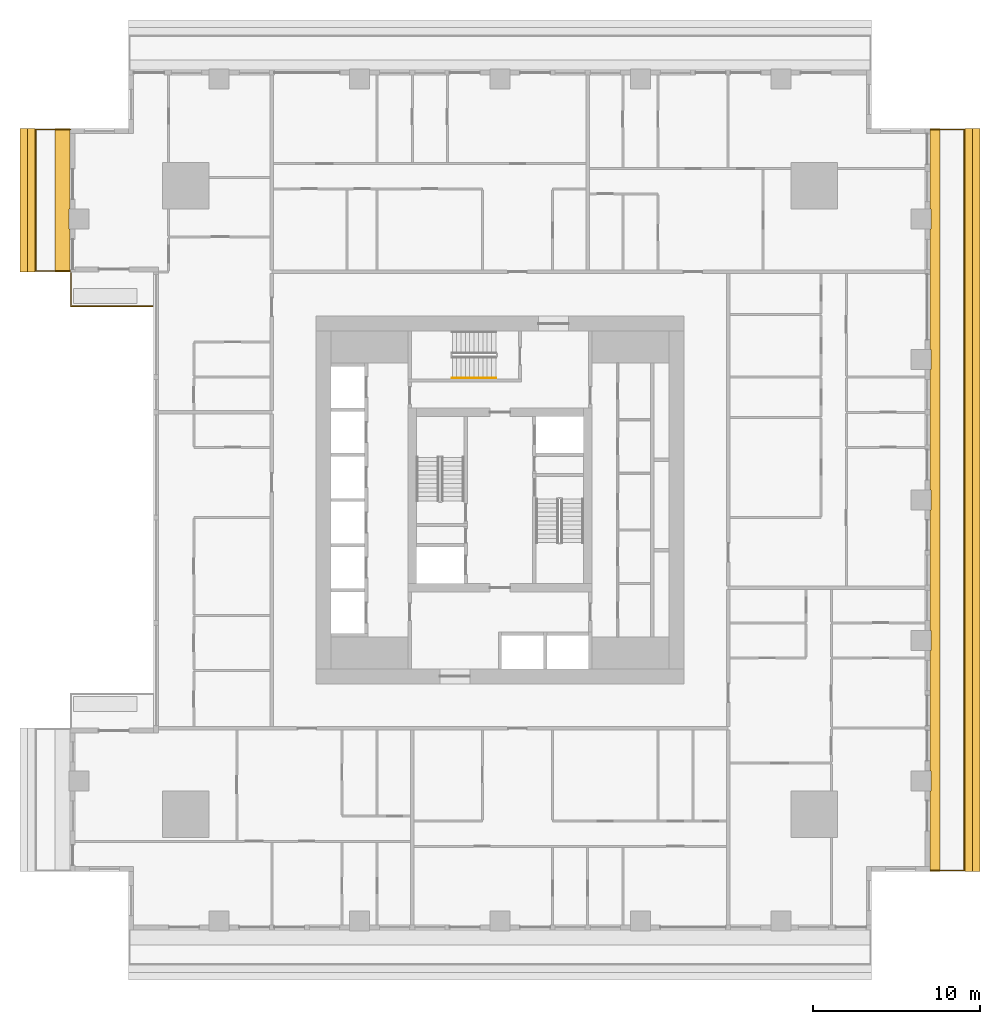
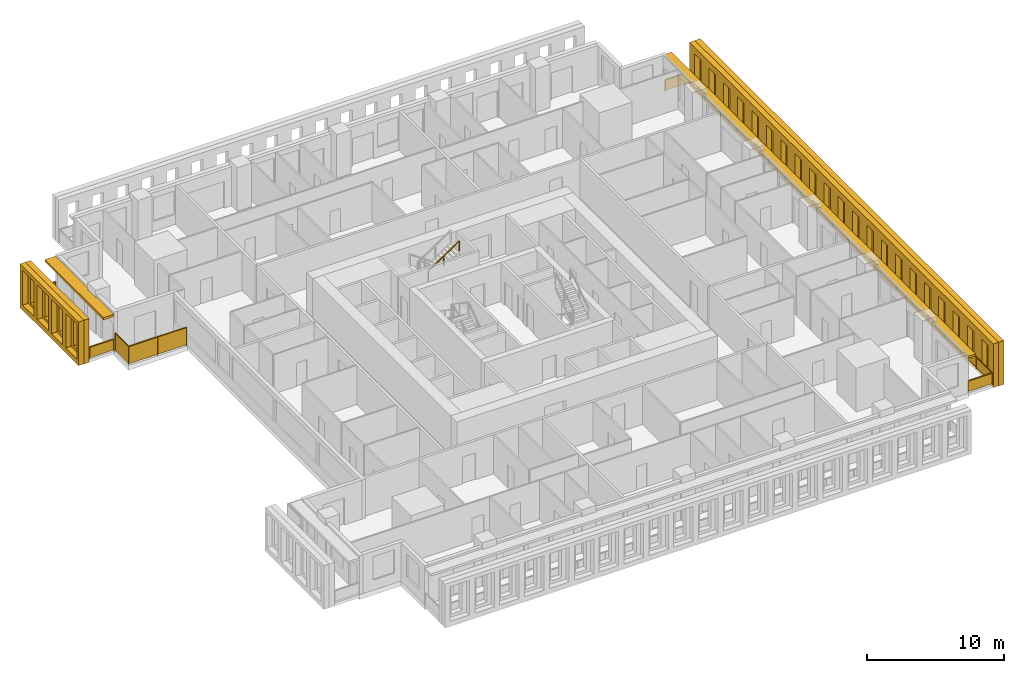
# One storey, part 13 of 15: 6 shading devices, 4 railings.
"""IFC4 building model written with IfcOpenShell, lengths in metres."""

from ifc_helpers import new_model, si_unit, direction, frame, origin, origin_2d, place, context, subcontext, project, spatial, polyline, rectangle, outline, extrude, material, layer, layer_set, type_object, element, save


model = new_model("IFC4")

# Units and contexts
model_context = context("Model", 3, precision=1e-05, world=origin(), true_north=direction((0.0, 1.0)))
body_context = subcontext(model_context, "Body", "Model", "MODEL_VIEW")
ifc_project = project(units=[si_unit("LENGTHUNIT", "METRE"), si_unit("AREAUNIT", "SQUARE_METRE"), si_unit("VOLUMEUNIT", "CUBIC_METRE"), si_unit("PLANEANGLEUNIT", "RADIAN"), si_unit("MASSUNIT", "GRAM", prefix="KILO")], contexts=[model_context])

# Site, building, storey
site_placement = place(None, origin())
site = spatial("IfcSite", under=ifc_project, at=site_placement, CompositionType="ELEMENT")
building_placement = place(site_placement, origin())
building = spatial("IfcBuilding", under=site, at=building_placement, Name="Khepri Terraces", CompositionType="ELEMENT")
storey_placement = place(building_placement, frame((0.0, 0.0, 118.199951171875)))
storey = spatial("IfcBuildingStorey", under=building, at=storey_placement, Name="L28", CompositionType="ELEMENT", Elevation=118.199951171875)

# Railings
ifc_material_1 = material(Name="Stainless steel grade 316", Category="steel")
railing_type_1 = type_object("IfcRailingType", Name="GRD-BAL-1100", PredefinedType="GUARDRAIL", material=ifc_material_1)
railing_1_placement = place(storey_placement, frame((25.719970703125, -22.169921875, 0.0)))
element("IfcRailing", 1, at=railing_1_placement, inside=storey, type_object=railing_type_1, Name="Balcony guard L28 E", PredefinedType="GUARDRAIL", context=body_context, shape_type="SweptSolid", body=[
    extrude(rectangle(XDim=0.050048828125, YDim=0.06005859375, at=origin_2d()), frame((0.0, 0.0, 1.070068359375), z_axis=(1.0, 0.0, 0.0), x_axis=(0.0, 1.0, 0.0)), (0.0, 0.0, 1.0), 2.050048828125),
    extrude(rectangle(XDim=2.0, YDim=0.011962890625, at=origin_2d()), frame((1.02490234375, 0.0, 0.10009765625), z_axis=(0.0, 0.0, 1.0), x_axis=(1.0, 0.0, 0.0)), (0.0, 0.0, 1.0), 0.93994140625),
    extrude(rectangle(XDim=0.050048828125, YDim=0.06005859375, at=origin_2d()), frame((2.050048828125, 0.0, 1.070068359375), z_axis=(0.0, 1.0, 0.0), x_axis=(-1.0, 0.0, 0.0)), (0.0, 0.0, 1.0), 44.33984375),
    extrude(rectangle(XDim=2.28369140625, YDim=0.011962890625, at=origin_2d()), frame((2.050048828125, 1.166748046875, 0.10009765625), z_axis=(0.0, 0.0, 1.0), x_axis=(0.0, 1.0, 0.0)), (0.0, 0.0, 1.0), 0.93994140625),
    extrude(rectangle(XDim=2.28369140625, YDim=0.011962890625, at=origin_2d()), frame((2.050048828125, 3.50048828125, 0.10009765625), z_axis=(0.0, 0.0, 1.0), x_axis=(0.0, 1.0, 0.0)), (0.0, 0.0, 1.0), 0.93994140625),
    extrude(rectangle(XDim=2.28369140625, YDim=0.011962890625, at=origin_2d()), frame((2.050048828125, 5.834228515625, 0.10009765625), z_axis=(0.0, 0.0, 1.0), x_axis=(0.0, 1.0, 0.0)), (0.0, 0.0, 1.0), 0.93994140625),
    extrude(rectangle(XDim=2.28369140625, YDim=0.011962890625, at=origin_2d()), frame((2.050048828125, 8.16796875, 0.10009765625), z_axis=(0.0, 0.0, 1.0), x_axis=(0.0, 1.0, 0.0)), (0.0, 0.0, 1.0), 0.93994140625),
    extrude(rectangle(XDim=2.28369140625, YDim=0.011962890625, at=origin_2d()), frame((2.050048828125, 10.50146484375, 0.10009765625), z_axis=(0.0, 0.0, 1.0), x_axis=(0.0, 1.0, 0.0)), (0.0, 0.0, 1.0), 0.93994140625),
    extrude(rectangle(XDim=2.28369140625, YDim=0.011962890625, at=origin_2d()), frame((2.050048828125, 12.835205078125, 0.10009765625), z_axis=(0.0, 0.0, 1.0), x_axis=(0.0, 1.0, 0.0)), (0.0, 0.0, 1.0), 0.93994140625),
    extrude(rectangle(XDim=2.28369140625, YDim=0.011962890625, at=origin_2d()), frame((2.050048828125, 15.1689453125, 0.10009765625), z_axis=(0.0, 0.0, 1.0), x_axis=(0.0, 1.0, 0.0)), (0.0, 0.0, 1.0), 0.93994140625),
    extrude(rectangle(XDim=2.28369140625, YDim=0.011962890625, at=origin_2d()), frame((2.050048828125, 17.502685546875, 0.10009765625), z_axis=(0.0, 0.0, 1.0), x_axis=(0.0, 1.0, 0.0)), (0.0, 0.0, 1.0), 0.93994140625),
    extrude(rectangle(XDim=2.28369140625, YDim=0.011962890625, at=origin_2d()), frame((2.050048828125, 19.836181640625, 0.10009765625), z_axis=(0.0, 0.0, 1.0), x_axis=(0.0, 1.0, 0.0)), (0.0, 0.0, 1.0), 0.93994140625),
    extrude(rectangle(XDim=2.28369140625, YDim=0.011962890625, at=origin_2d()), frame((2.050048828125, 22.169921875, 0.10009765625), z_axis=(0.0, 0.0, 1.0), x_axis=(0.0, 1.0, 0.0)), (0.0, 0.0, 1.0), 0.93994140625),
    extrude(rectangle(XDim=2.28369140625, YDim=0.011962890625, at=origin_2d()), frame((2.050048828125, 24.503662109375, 0.10009765625), z_axis=(0.0, 0.0, 1.0), x_axis=(0.0, 1.0, 0.0)), (0.0, 0.0, 1.0), 0.93994140625),
    extrude(rectangle(XDim=2.28369140625, YDim=0.011962890625, at=origin_2d()), frame((2.050048828125, 26.837158203125, 0.10009765625), z_axis=(0.0, 0.0, 1.0), x_axis=(0.0, 1.0, 0.0)), (0.0, 0.0, 1.0), 0.93994140625),
    extrude(rectangle(XDim=2.28369140625, YDim=0.011962890625, at=origin_2d()), frame((2.050048828125, 29.1708984375, 0.10009765625), z_axis=(0.0, 0.0, 1.0), x_axis=(0.0, 1.0, 0.0)), (0.0, 0.0, 1.0), 0.93994140625),
    extrude(rectangle(XDim=2.28369140625, YDim=0.011962890625, at=origin_2d()), frame((2.050048828125, 31.504638671875, 0.10009765625), z_axis=(0.0, 0.0, 1.0), x_axis=(0.0, 1.0, 0.0)), (0.0, 0.0, 1.0), 0.93994140625),
    extrude(rectangle(XDim=2.28369140625, YDim=0.011962890625, at=origin_2d()), frame((2.050048828125, 33.83837890625, 0.10009765625), z_axis=(0.0, 0.0, 1.0), x_axis=(0.0, 1.0, 0.0)), (0.0, 0.0, 1.0), 0.93994140625),
    extrude(rectangle(XDim=2.28369140625, YDim=0.011962890625, at=origin_2d()), frame((2.050048828125, 36.171875, 0.10009765625), z_axis=(0.0, 0.0, 1.0), x_axis=(0.0, 1.0, 0.0)), (0.0, 0.0, 1.0), 0.93994140625),
    extrude(rectangle(XDim=2.28369140625, YDim=0.011962890625, at=origin_2d()), frame((2.050048828125, 38.505615234375, 0.10009765625), z_axis=(0.0, 0.0, 1.0), x_axis=(0.0, 1.0, 0.0)), (0.0, 0.0, 1.0), 0.93994140625),
    extrude(rectangle(XDim=2.28369140625, YDim=0.011962890625, at=origin_2d()), frame((2.050048828125, 40.83935546875, 0.10009765625), z_axis=(0.0, 0.0, 1.0), x_axis=(0.0, 1.0, 0.0)), (0.0, 0.0, 1.0), 0.93994140625),
    extrude(rectangle(XDim=2.28369140625, YDim=0.011962890625, at=origin_2d()), frame((2.050048828125, 43.173095703125, 0.10009765625), z_axis=(0.0, 0.0, 1.0), x_axis=(0.0, 1.0, 0.0)), (0.0, 0.0, 1.0), 0.93994140625),
    extrude(rectangle(XDim=0.050048828125, YDim=0.06005859375, at=origin_2d()), frame((2.050048828125, 44.33984375, 1.070068359375), z_axis=(-1.0, 0.0, 0.0), x_axis=(0.0, -1.0, 0.0)), (0.0, 0.0, 1.0), 2.050048828125),
    extrude(rectangle(XDim=2.0, YDim=0.011962890625, at=origin_2d()), frame((1.02490234375, 44.33984375, 0.10009765625), z_axis=(0.0, 0.0, 1.0), x_axis=(-1.0, 0.0, 0.0)), (0.0, 0.0, 1.0), 0.93994140625),
    extrude(rectangle(XDim=0.050048828125, YDim=0.050048828125, at=origin_2d()), origin(), (0.0, 0.0, 1.0), 1.0400390625),
    extrude(rectangle(XDim=0.050048828125, YDim=0.050048828125, at=origin_2d()), frame((2.050048828125, 0.0, 0.0)), (0.0, 0.0, 1.0), 1.0400390625),
    extrude(rectangle(XDim=0.050048828125, YDim=0.050048828125, at=origin_2d()), frame((2.050048828125, 2.333740234375, 0.0)), (0.0, 0.0, 1.0), 1.0400390625),
    extrude(rectangle(XDim=0.050048828125, YDim=0.050048828125, at=origin_2d()), frame((2.050048828125, 4.667236328125, 0.0)), (0.0, 0.0, 1.0), 1.0400390625),
    extrude(rectangle(XDim=0.050048828125, YDim=0.050048828125, at=origin_2d()), frame((2.050048828125, 7.0009765625, 0.0)), (0.0, 0.0, 1.0), 1.0400390625),
    extrude(rectangle(XDim=0.050048828125, YDim=0.050048828125, at=origin_2d()), frame((2.050048828125, 9.334716796875, 0.0)), (0.0, 0.0, 1.0), 1.0400390625),
    extrude(rectangle(XDim=0.050048828125, YDim=0.050048828125, at=origin_2d()), frame((2.050048828125, 11.66845703125, 0.0)), (0.0, 0.0, 1.0), 1.0400390625),
    extrude(rectangle(XDim=0.050048828125, YDim=0.050048828125, at=origin_2d()), frame((2.050048828125, 14.001953125, 0.0)), (0.0, 0.0, 1.0), 1.0400390625),
    extrude(rectangle(XDim=0.050048828125, YDim=0.050048828125, at=origin_2d()), frame((2.050048828125, 16.335693359375, 0.0)), (0.0, 0.0, 1.0), 1.0400390625),
    extrude(rectangle(XDim=0.050048828125, YDim=0.050048828125, at=origin_2d()), frame((2.050048828125, 18.66943359375, 0.0)), (0.0, 0.0, 1.0), 1.0400390625),
    extrude(rectangle(XDim=0.050048828125, YDim=0.050048828125, at=origin_2d()), frame((2.050048828125, 21.003173828125, 0.0)), (0.0, 0.0, 1.0), 1.0400390625),
    extrude(rectangle(XDim=0.050048828125, YDim=0.050048828125, at=origin_2d()), frame((2.050048828125, 23.336669921875, 0.0)), (0.0, 0.0, 1.0), 1.0400390625),
    extrude(rectangle(XDim=0.050048828125, YDim=0.050048828125, at=origin_2d()), frame((2.050048828125, 25.67041015625, 0.0)), (0.0, 0.0, 1.0), 1.0400390625),
    extrude(rectangle(XDim=0.050048828125, YDim=0.050048828125, at=origin_2d()), frame((2.050048828125, 28.004150390625, 0.0)), (0.0, 0.0, 1.0), 1.0400390625),
    extrude(rectangle(XDim=0.050048828125, YDim=0.050048828125, at=origin_2d()), frame((2.050048828125, 30.337890625, 0.0)), (0.0, 0.0, 1.0), 1.0400390625),
    extrude(rectangle(XDim=0.050048828125, YDim=0.050048828125, at=origin_2d()), frame((2.050048828125, 32.67138671875, 0.0)), (0.0, 0.0, 1.0), 1.0400390625),
    extrude(rectangle(XDim=0.050048828125, YDim=0.050048828125, at=origin_2d()), frame((2.050048828125, 35.005126953125, 0.0)), (0.0, 0.0, 1.0), 1.0400390625),
    extrude(rectangle(XDim=0.050048828125, YDim=0.050048828125, at=origin_2d()), frame((2.050048828125, 37.3388671875, 0.0)), (0.0, 0.0, 1.0), 1.0400390625),
    extrude(rectangle(XDim=0.050048828125, YDim=0.050048828125, at=origin_2d()), frame((2.050048828125, 39.672607421875, 0.0)), (0.0, 0.0, 1.0), 1.0400390625),
    extrude(rectangle(XDim=0.050048828125, YDim=0.050048828125, at=origin_2d()), frame((2.050048828125, 42.006103515625, 0.0)), (0.0, 0.0, 1.0), 1.0400390625),
    extrude(rectangle(XDim=0.050048828125, YDim=0.050048828125, at=origin_2d()), frame((2.050048828125, 44.33984375, 0.0)), (0.0, 0.0, 1.0), 1.0400390625),
    extrude(rectangle(XDim=0.050048828125, YDim=0.050048828125, at=origin_2d()), frame((0.0, 44.33984375, 0.0)), (0.0, 0.0, 1.0), 1.0400390625),
])
railing_2_placement = place(storey_placement, frame((-25.719970703125, 22.169921875, 0.0)))
element("IfcRailing", 2, at=railing_2_placement, inside=storey, type_object=railing_type_1, Name="Balcony guard L28 W", PredefinedType="GUARDRAIL", context=body_context, shape_type="SweptSolid", body=[
    extrude(rectangle(XDim=0.050048828125, YDim=0.06005859375, at=origin_2d()), frame((0.0, 0.0, 1.070068359375), z_axis=(-1.0, 0.0, 0.0), x_axis=(0.0, -1.0, 0.0)), (0.0, 0.0, 1.0), 2.050048828125),
    extrude(rectangle(XDim=2.0, YDim=0.011962890625, at=origin_2d()), frame((-1.02490234375, 0.0, 0.10009765625), z_axis=(0.0, 0.0, 1.0), x_axis=(-1.0, 0.0, 0.0)), (0.0, 0.0, 1.0), 0.93994140625),
    extrude(rectangle(XDim=0.050048828125, YDim=0.06005859375, at=origin_2d()), frame((-2.050048828125, 0.0, 1.070068359375), z_axis=(0.0, -1.0, 0.0), x_axis=(1.0, 0.0, 0.0)), (0.0, 0.0, 1.0), 8.469970703125),
    extrude(rectangle(XDim=2.0673828125, YDim=0.011962890625, at=origin_2d()), frame((-2.050048828125, -1.058837890625, 0.10009765625), z_axis=(0.0, 0.0, 1.0), x_axis=(0.0, -1.0, 0.0)), (0.0, 0.0, 1.0), 0.93994140625),
    extrude(rectangle(XDim=2.0673828125, YDim=0.011962890625, at=origin_2d()), frame((-2.050048828125, -3.17626953125, 0.10009765625), z_axis=(0.0, 0.0, 1.0), x_axis=(0.0, -1.0, 0.0)), (0.0, 0.0, 1.0), 0.93994140625),
    extrude(rectangle(XDim=2.0673828125, YDim=0.011962890625, at=origin_2d()), frame((-2.050048828125, -5.293701171875, 0.10009765625), z_axis=(0.0, 0.0, 1.0), x_axis=(0.0, -1.0, 0.0)), (0.0, 0.0, 1.0), 0.93994140625),
    extrude(rectangle(XDim=2.0673828125, YDim=0.011962890625, at=origin_2d()), frame((-2.050048828125, -7.4111328125, 0.10009765625), z_axis=(0.0, 0.0, 1.0), x_axis=(0.0, -1.0, 0.0)), (0.0, 0.0, 1.0), 0.93994140625),
    extrude(rectangle(XDim=0.050048828125, YDim=0.06005859375, at=origin_2d()), frame((-2.050048828125, -8.469970703125, 1.070068359375), z_axis=(1.0, 0.0, 0.0), x_axis=(0.0, 1.0, 0.0)), (0.0, 0.0, 1.0), 2.050048828125),
    extrude(rectangle(XDim=2.0, YDim=0.011962890625, at=origin_2d()), frame((-1.02490234375, -8.469970703125, 0.10009765625), z_axis=(0.0, 0.0, 1.0), x_axis=(1.0, 0.0, 0.0)), (0.0, 0.0, 1.0), 0.93994140625),
    extrude(rectangle(XDim=0.050048828125, YDim=0.050048828125, at=origin_2d()), origin(), (0.0, 0.0, 1.0), 1.0400390625),
    extrude(rectangle(XDim=0.050048828125, YDim=0.050048828125, at=origin_2d()), frame((-2.050048828125, 0.0, 0.0)), (0.0, 0.0, 1.0), 1.0400390625),
    extrude(rectangle(XDim=0.050048828125, YDim=0.050048828125, at=origin_2d()), frame((-2.050048828125, -2.117431640625, 0.0)), (0.0, 0.0, 1.0), 1.0400390625),
    extrude(rectangle(XDim=0.050048828125, YDim=0.050048828125, at=origin_2d()), frame((-2.050048828125, -4.23486328125, 0.0)), (0.0, 0.0, 1.0), 1.0400390625),
    extrude(rectangle(XDim=0.050048828125, YDim=0.050048828125, at=origin_2d()), frame((-2.050048828125, -6.3525390625, 0.0)), (0.0, 0.0, 1.0), 1.0400390625),
    extrude(rectangle(XDim=0.050048828125, YDim=0.050048828125, at=origin_2d()), frame((-2.050048828125, -8.469970703125, 0.0)), (0.0, 0.0, 1.0), 1.0400390625),
    extrude(rectangle(XDim=0.050048828125, YDim=0.050048828125, at=origin_2d()), frame((0.0, -8.469970703125, 0.0)), (0.0, 0.0, 1.0), 1.0400390625),
])
railing_type_2 = type_object("IfcRailingType", Name="GRD-TERR-1700", PredefinedType="GUARDRAIL", material=ifc_material_1)
railing_3_placement = place(storey_placement, frame((-20.7900390625, 11.60009765625, 0.0)))
element("IfcRailing", 3, at=railing_3_placement, inside=storey, type_object=railing_type_2, Name="Terrace guard L28", PredefinedType="GUARDRAIL", context=body_context, shape_type="SweptSolid", body=[
    extrude(rectangle(XDim=0.050048828125, YDim=0.06005859375, at=origin_2d()), frame((0.0, 0.0, 1.669921875), z_axis=(-1.0, 0.0, 0.0), x_axis=(0.0, -1.0, 0.0)), (0.0, 0.0, 1.0), 4.8798828125),
    extrude(rectangle(XDim=2.389892578125, YDim=0.011962890625, at=origin_2d()), frame((-1.219970703125, 0.0, 0.10009765625), z_axis=(0.0, 0.0, 1.0), x_axis=(-1.0, 0.0, 0.0)), (0.0, 0.0, 1.0), 1.539794921875),
    extrude(rectangle(XDim=2.389892578125, YDim=0.011962890625, at=origin_2d()), frame((-3.659912109375, 0.0, 0.10009765625), z_axis=(0.0, 0.0, 1.0), x_axis=(-1.0, 0.0, 0.0)), (0.0, 0.0, 1.0), 1.539794921875),
    extrude(rectangle(XDim=0.050048828125, YDim=0.06005859375, at=origin_2d()), frame((-4.8798828125, 0.0, 1.669921875), z_axis=(0.0, 1.0, 0.0), x_axis=(-1.0, 0.0, 0.0)), (0.0, 0.0, 1.0), 1.97998046875),
    extrude(rectangle(XDim=1.929931640625, YDim=0.011962890625, at=origin_2d()), frame((-4.8798828125, 0.989990234375, 0.10009765625), z_axis=(0.0, 0.0, 1.0), x_axis=(0.0, 1.0, 0.0)), (0.0, 0.0, 1.0), 1.539794921875),
    extrude(rectangle(XDim=0.050048828125, YDim=0.050048828125, at=origin_2d()), origin(), (0.0, 0.0, 1.0), 1.639892578125),
    extrude(rectangle(XDim=0.050048828125, YDim=0.050048828125, at=origin_2d()), frame((-2.43994140625, 0.0, 0.0)), (0.0, 0.0, 1.0), 1.639892578125),
    extrude(rectangle(XDim=0.050048828125, YDim=0.050048828125, at=origin_2d()), frame((-4.8798828125, 0.0, 0.0)), (0.0, 0.0, 1.0), 1.639892578125),
    extrude(rectangle(XDim=0.050048828125, YDim=0.050048828125, at=origin_2d()), frame((-4.8798828125, 1.97998046875, 0.0)), (0.0, 0.0, 1.0), 1.639892578125),
])
ifc_material_2 = material(Name="Stainless steel 316", Category="steel")
railing_type_3 = type_object("IfcRailingType", Name="RL-CORE-HANDRAIL", PredefinedType="HANDRAIL", material=ifc_material_2)
railing_4_placement = place(storey_placement, frame((-2.85009765625, 7.300048828125, 2.12744140625)))
element("IfcRailing", 4, at=railing_4_placement, inside=storey, type_object=railing_type_3, Name="L28 ST-3 stair handrail 2", PredefinedType="HANDRAIL", context=body_context, shape_type="SweptSolid", body=[
    extrude(rectangle(XDim=0.050048828125, YDim=0.050048828125, at=origin_2d()), frame((0.0, 0.0, 0.875), z_axis=(0.826240473404, 0.0, 0.563317565952), x_axis=(0.0, 1.0, 0.0)), (0.0, 0.0, 1.0), 3.14697265625),
    extrude(rectangle(XDim=0.050048828125, YDim=0.050048828125, at=origin_2d()), origin(), (0.0, 0.0, 1.0), 0.849853515625),
    extrude(rectangle(XDim=0.050048828125, YDim=0.050048828125, at=origin_2d()), frame((1.300048828125, 0.0, 0.88623046875)), (0.0, 0.0, 1.0), 0.849853515625),
    extrude(rectangle(XDim=0.050048828125, YDim=0.050048828125, at=origin_2d()), frame((2.60009765625, 0.0, 1.772705078125)), (0.0, 0.0, 1.0), 0.849853515625),
])

# Shading devices
ifc_material_3 = material(Name="Precast concrete C50/60 warm stone", Category="masonry")
shading_device_type_1 = type_object("IfcShadingDeviceType", Name="SCR-CELL-INNER-450", PredefinedType="USERDEFINED", material=ifc_material_3)
shading_device_1_placement = place(storey_placement, frame((27.820068359375, -22.219970703125, -0.25), z_axis=(1.0, 0.0, 0.0), x_axis=(0.0, 1.0, 0.0)))
element("IfcShadingDevice", 5, at=shading_device_1_placement, inside=storey, type_object=shading_device_type_1, Name="Cell screen L28 E in", ObjectType="SCREEN", PredefinedType="USERDEFINED", context=body_context, shape_type="SweptSolid", body=[
    extrude(outline(polyline([(0.0, 0.0), (44.43994140625, 0.0), (44.43994140625, 3.89990234375), (0.0, 3.89990234375), (0.0, 0.0)]), holes=[polyline([(0.74755859375, 0.699951171875), (1.6923828125, 0.699951171875), (1.6923828125, 3.300048828125), (0.74755859375, 3.300048828125), (0.74755859375, 0.699951171875)]), polyline([(2.847412109375, 0.699951171875), (3.79248046875, 0.699951171875), (3.79248046875, 3.300048828125), (2.847412109375, 3.300048828125), (2.847412109375, 0.699951171875)]), polyline([(4.947509765625, 0.699951171875), (5.892578125, 0.699951171875), (5.892578125, 3.300048828125), (4.947509765625, 3.300048828125), (4.947509765625, 0.699951171875)]), polyline([(7.047607421875, 0.699951171875), (7.992431640625, 0.699951171875), (7.992431640625, 3.300048828125), (7.047607421875, 3.300048828125), (7.047607421875, 0.699951171875)]), polyline([(9.1474609375, 0.699951171875), (10.092529296875, 0.699951171875), (10.092529296875, 3.300048828125), (9.1474609375, 3.300048828125), (9.1474609375, 0.699951171875)]), polyline([(11.24755859375, 0.699951171875), (12.1923828125, 0.699951171875), (12.1923828125, 3.300048828125), (11.24755859375, 3.300048828125), (11.24755859375, 0.699951171875)]), polyline([(13.347412109375, 0.699951171875), (14.29248046875, 0.699951171875), (14.29248046875, 3.300048828125), (13.347412109375, 3.300048828125), (13.347412109375, 0.699951171875)]), polyline([(15.447509765625, 0.699951171875), (16.392578125, 0.699951171875), (16.392578125, 3.300048828125), (15.447509765625, 3.300048828125), (15.447509765625, 0.699951171875)]), polyline([(17.547607421875, 0.699951171875), (18.492431640625, 0.699951171875), (18.492431640625, 3.300048828125), (17.547607421875, 3.300048828125), (17.547607421875, 0.699951171875)]), polyline([(19.6474609375, 0.699951171875), (20.592529296875, 0.699951171875), (20.592529296875, 3.300048828125), (19.6474609375, 3.300048828125), (19.6474609375, 0.699951171875)]), polyline([(21.74755859375, 0.699951171875), (22.6923828125, 0.699951171875), (22.6923828125, 3.300048828125), (21.74755859375, 3.300048828125), (21.74755859375, 0.699951171875)]), polyline([(23.847412109375, 0.699951171875), (24.79248046875, 0.699951171875), (24.79248046875, 3.300048828125), (23.847412109375, 3.300048828125), (23.847412109375, 0.699951171875)]), polyline([(25.947509765625, 0.699951171875), (26.892578125, 0.699951171875), (26.892578125, 3.300048828125), (25.947509765625, 3.300048828125), (25.947509765625, 0.699951171875)]), polyline([(28.047607421875, 0.699951171875), (28.992431640625, 0.699951171875), (28.992431640625, 3.300048828125), (28.047607421875, 3.300048828125), (28.047607421875, 0.699951171875)]), polyline([(30.1474609375, 0.699951171875), (31.092529296875, 0.699951171875), (31.092529296875, 3.300048828125), (30.1474609375, 3.300048828125), (30.1474609375, 0.699951171875)]), polyline([(32.24755859375, 0.699951171875), (33.1923828125, 0.699951171875), (33.1923828125, 3.300048828125), (32.24755859375, 3.300048828125), (32.24755859375, 0.699951171875)]), polyline([(34.347412109375, 0.699951171875), (35.29248046875, 0.699951171875), (35.29248046875, 3.300048828125), (34.347412109375, 3.300048828125), (34.347412109375, 0.699951171875)]), polyline([(36.447509765625, 0.699951171875), (37.392578125, 0.699951171875), (37.392578125, 3.300048828125), (36.447509765625, 3.300048828125), (36.447509765625, 0.699951171875)]), polyline([(38.547607421875, 0.699951171875), (39.492431640625, 0.699951171875), (39.492431640625, 3.300048828125), (38.547607421875, 3.300048828125), (38.547607421875, 0.699951171875)]), polyline([(40.6474609375, 0.699951171875), (41.592529296875, 0.699951171875), (41.592529296875, 3.300048828125), (40.6474609375, 3.300048828125), (40.6474609375, 0.699951171875)]), polyline([(42.74755859375, 0.699951171875), (43.6923828125, 0.699951171875), (43.6923828125, 3.300048828125), (42.74755859375, 3.300048828125), (42.74755859375, 0.699951171875)])]), origin(), (0.0, 0.0, 1.0), 0.449951171875),
])
shading_device_2_placement = place(storey_placement, frame((-27.820068359375, 22.219970703125, -0.25), z_axis=(-1.0, 0.0, 0.0), x_axis=(0.0, -1.0, 0.0)))
element("IfcShadingDevice", 6, at=shading_device_2_placement, inside=storey, type_object=shading_device_type_1, Name="Cell screen L28 W in", ObjectType="SCREEN", PredefinedType="USERDEFINED", context=body_context, shape_type="SweptSolid", body=[
    extrude(outline(polyline([(0.0, 0.0), (8.570068359375, 0.0), (8.570068359375, 3.89990234375), (0.0, 3.89990234375), (0.0, 0.0)]), holes=[polyline([(0.74755859375, 0.699951171875), (1.6923828125, 0.699951171875), (1.6923828125, 3.300048828125), (0.74755859375, 3.300048828125), (0.74755859375, 0.699951171875)]), polyline([(2.847412109375, 0.699951171875), (3.79248046875, 0.699951171875), (3.79248046875, 3.300048828125), (2.847412109375, 3.300048828125), (2.847412109375, 0.699951171875)]), polyline([(4.947509765625, 0.699951171875), (5.892578125, 0.699951171875), (5.892578125, 3.300048828125), (4.947509765625, 3.300048828125), (4.947509765625, 0.699951171875)]), polyline([(7.047607421875, 0.699951171875), (7.992431640625, 0.699951171875), (7.992431640625, 3.300048828125), (7.047607421875, 3.300048828125), (7.047607421875, 0.699951171875)])]), origin(), (0.0, 0.0, 1.0), 0.449951171875),
])
shading_device_type_2 = type_object("IfcShadingDeviceType", Name="SCR-CELL-OUTER-450", PredefinedType="USERDEFINED", material=ifc_material_3)
shading_device_3_placement = place(storey_placement, frame((28.27001953125, -22.219970703125, -0.25), z_axis=(1.0, 0.0, 0.0), x_axis=(0.0, 1.0, 0.0)))
element("IfcShadingDevice", 7, at=shading_device_3_placement, inside=storey, type_object=shading_device_type_2, Name="Cell screen L28 E out", ObjectType="SCREEN", PredefinedType="USERDEFINED", context=body_context, shape_type="SweptSolid", body=[
    extrude(outline(polyline([(0.0, 0.0), (44.43994140625, 0.0), (44.43994140625, 3.89990234375), (0.0, 3.89990234375), (0.0, 0.0)]), holes=[polyline([(0.3974609375, 0.449951171875), (2.04248046875, 0.449951171875), (2.04248046875, 3.550048828125), (0.3974609375, 3.550048828125), (0.3974609375, 0.449951171875)]), polyline([(2.49755859375, 0.449951171875), (4.142578125, 0.449951171875), (4.142578125, 3.550048828125), (2.49755859375, 3.550048828125), (2.49755859375, 0.449951171875)]), polyline([(4.597412109375, 0.449951171875), (6.242431640625, 0.449951171875), (6.242431640625, 3.550048828125), (4.597412109375, 3.550048828125), (4.597412109375, 0.449951171875)]), polyline([(6.697509765625, 0.449951171875), (8.342529296875, 0.449951171875), (8.342529296875, 3.550048828125), (6.697509765625, 3.550048828125), (6.697509765625, 0.449951171875)]), polyline([(8.797607421875, 0.449951171875), (10.4423828125, 0.449951171875), (10.4423828125, 3.550048828125), (8.797607421875, 3.550048828125), (8.797607421875, 0.449951171875)]), polyline([(10.8974609375, 0.449951171875), (12.54248046875, 0.449951171875), (12.54248046875, 3.550048828125), (10.8974609375, 3.550048828125), (10.8974609375, 0.449951171875)]), polyline([(12.99755859375, 0.449951171875), (14.642578125, 0.449951171875), (14.642578125, 3.550048828125), (12.99755859375, 3.550048828125), (12.99755859375, 0.449951171875)]), polyline([(15.097412109375, 0.449951171875), (16.742431640625, 0.449951171875), (16.742431640625, 3.550048828125), (15.097412109375, 3.550048828125), (15.097412109375, 0.449951171875)]), polyline([(17.197509765625, 0.449951171875), (18.842529296875, 0.449951171875), (18.842529296875, 3.550048828125), (17.197509765625, 3.550048828125), (17.197509765625, 0.449951171875)]), polyline([(19.297607421875, 0.449951171875), (20.9423828125, 0.449951171875), (20.9423828125, 3.550048828125), (19.297607421875, 3.550048828125), (19.297607421875, 0.449951171875)]), polyline([(21.3974609375, 0.449951171875), (23.04248046875, 0.449951171875), (23.04248046875, 3.550048828125), (21.3974609375, 3.550048828125), (21.3974609375, 0.449951171875)]), polyline([(23.49755859375, 0.449951171875), (25.142578125, 0.449951171875), (25.142578125, 3.550048828125), (23.49755859375, 3.550048828125), (23.49755859375, 0.449951171875)]), polyline([(25.597412109375, 0.449951171875), (27.242431640625, 0.449951171875), (27.242431640625, 3.550048828125), (25.597412109375, 3.550048828125), (25.597412109375, 0.449951171875)]), polyline([(27.697509765625, 0.449951171875), (29.342529296875, 0.449951171875), (29.342529296875, 3.550048828125), (27.697509765625, 3.550048828125), (27.697509765625, 0.449951171875)]), polyline([(29.797607421875, 0.449951171875), (31.4423828125, 0.449951171875), (31.4423828125, 3.550048828125), (29.797607421875, 3.550048828125), (29.797607421875, 0.449951171875)]), polyline([(31.8974609375, 0.449951171875), (33.54248046875, 0.449951171875), (33.54248046875, 3.550048828125), (31.8974609375, 3.550048828125), (31.8974609375, 0.449951171875)]), polyline([(33.99755859375, 0.449951171875), (35.642578125, 0.449951171875), (35.642578125, 3.550048828125), (33.99755859375, 3.550048828125), (33.99755859375, 0.449951171875)]), polyline([(36.097412109375, 0.449951171875), (37.742431640625, 0.449951171875), (37.742431640625, 3.550048828125), (36.097412109375, 3.550048828125), (36.097412109375, 0.449951171875)]), polyline([(38.197509765625, 0.449951171875), (39.842529296875, 0.449951171875), (39.842529296875, 3.550048828125), (38.197509765625, 3.550048828125), (38.197509765625, 0.449951171875)]), polyline([(40.297607421875, 0.449951171875), (41.9423828125, 0.449951171875), (41.9423828125, 3.550048828125), (40.297607421875, 3.550048828125), (40.297607421875, 0.449951171875)]), polyline([(42.3974609375, 0.449951171875), (44.04248046875, 0.449951171875), (44.04248046875, 3.550048828125), (42.3974609375, 3.550048828125), (42.3974609375, 0.449951171875)])]), origin(), (0.0, 0.0, 1.0), 0.449951171875),
])
shading_device_4_placement = place(storey_placement, frame((-28.27001953125, 22.219970703125, -0.25), z_axis=(-1.0, 0.0, 0.0), x_axis=(0.0, -1.0, 0.0)))
element("IfcShadingDevice", 8, at=shading_device_4_placement, inside=storey, type_object=shading_device_type_2, Name="Cell screen L28 W out", ObjectType="SCREEN", PredefinedType="USERDEFINED", context=body_context, shape_type="SweptSolid", body=[
    extrude(outline(polyline([(0.0, 0.0), (8.570068359375, 0.0), (8.570068359375, 3.89990234375), (0.0, 3.89990234375), (0.0, 0.0)]), holes=[polyline([(0.3974609375, 0.449951171875), (2.04248046875, 0.449951171875), (2.04248046875, 3.550048828125), (0.3974609375, 3.550048828125), (0.3974609375, 0.449951171875)]), polyline([(2.49755859375, 0.449951171875), (4.142578125, 0.449951171875), (4.142578125, 3.550048828125), (2.49755859375, 3.550048828125), (2.49755859375, 0.449951171875)]), polyline([(4.597412109375, 0.449951171875), (6.242431640625, 0.449951171875), (6.242431640625, 3.550048828125), (4.597412109375, 3.550048828125), (4.597412109375, 0.449951171875)]), polyline([(6.697509765625, 0.449951171875), (8.342529296875, 0.449951171875), (8.342529296875, 3.550048828125), (6.697509765625, 3.550048828125), (6.697509765625, 0.449951171875)])]), origin(), (0.0, 0.0, 1.0), 0.449951171875),
])
ifc_layer_1 = layer(ifc_material_3, 0.199951171875, Name="Precast concrete C50/60 warm stone", Category="masonry")
ifc_layer_set_1 = layer_set([ifc_layer_1], Name="Precast concrete C50/60 warm stone")
shading_device_type_3 = type_object("IfcShadingDeviceType", Name="SSH-BAND-STONE-200", PredefinedType="USERDEFINED", material=ifc_layer_set_1)
shading_device_5_placement = place(storey_placement, frame((0.0, 0.0, 3.10009765625)))
element("IfcShadingDevice", 9, at=shading_device_5_placement, inside=storey, type_object=shading_device_type_3, Name="Sunshade band L28 W", ObjectType="SUNSHADE", PredefinedType="USERDEFINED", context=body_context, shape_type="SweptSolid", body=[
    extrude(outline(polyline([(-25.719970703125, 17.39990234375), (-25.719970703125, 22.219970703125), (-26.6201171875, 22.219970703125), (-26.6201171875, 13.64990234375), (-25.719970703125, 13.64990234375), (-25.719970703125, 16.199951171875), (-25.800048828125, 16.199951171875), (-25.800048828125, 17.39990234375), (-25.719970703125, 17.39990234375)])), origin(), (0.0, 0.0, 1.0), 0.199951171875),
])
ifc_layer_2 = layer(ifc_material_3, 0.199951171875, Name="Precast concrete C50/60 warm stone", Category="masonry")
ifc_layer_set_2 = layer_set([ifc_layer_2], Name="Precast concrete C50/60 warm stone")
shading_device_type_4 = type_object("IfcShadingDeviceType", Name="SSH-BAND-STONE-200-N", PredefinedType="USERDEFINED", material=ifc_layer_set_2)
shading_device_6_placement = place(storey_placement, frame((0.0, 0.0, 3.10009765625)))
element("IfcShadingDevice", 10, at=shading_device_6_placement, inside=storey, type_object=shading_device_type_4, Name="Sunshade band L28 E", ObjectType="SUNSHADE", PredefinedType="USERDEFINED", context=body_context, shape_type="SweptSolid", body=[
    extrude(outline(polyline([(25.719970703125, -17.39990234375), (25.719970703125, -22.219970703125), (26.320068359375, -22.219970703125), (26.320068359375, 22.219970703125), (25.719970703125, 22.219970703125), (25.719970703125, 17.39990234375), (25.800048828125, 17.39990234375), (25.800048828125, 16.199951171875), (25.719970703125, 16.199951171875), (25.719970703125, 9.0), (25.800048828125, 9.0), (25.800048828125, 7.800048828125), (25.719970703125, 7.800048828125), (25.719970703125, 0.60009765625), (25.800048828125, 0.60009765625), (25.800048828125, -0.60009765625), (25.719970703125, -0.60009765625), (25.719970703125, -7.800048828125), (25.800048828125, -7.800048828125), (25.800048828125, -9.0), (25.719970703125, -9.0), (25.719970703125, -16.199951171875), (25.800048828125, -16.199951171875), (25.800048828125, -17.39990234375), (25.719970703125, -17.39990234375)])), origin(), (0.0, 0.0, 1.0), 0.199951171875),
])

save(model, "model.ifc")
